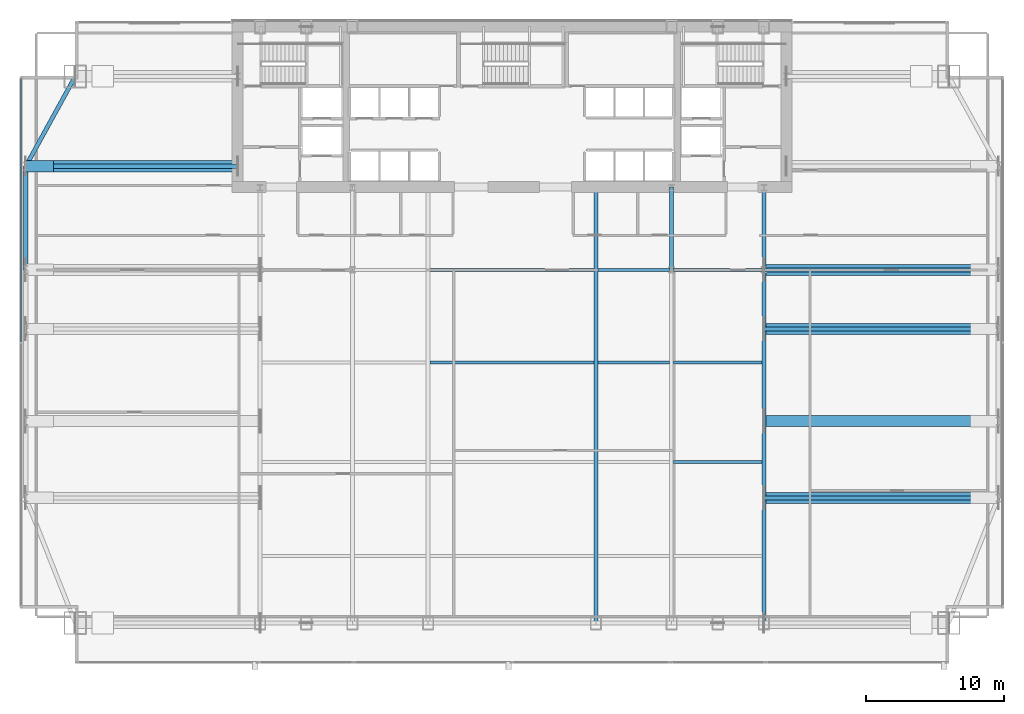
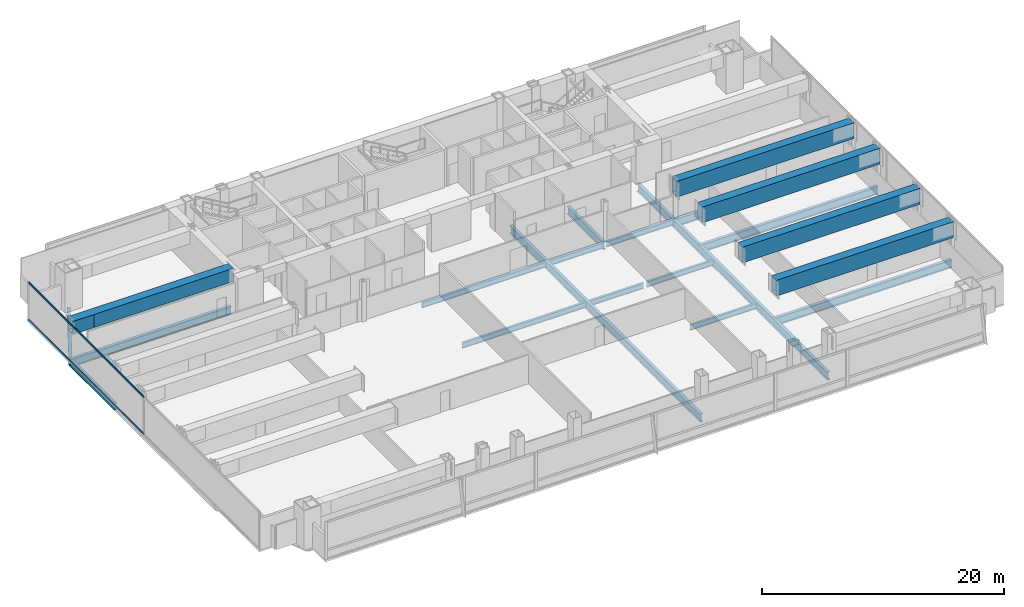
# One storey, part 14 of 32: 23 beams, 2 members, 1 element without a shape of its own.
"""IFC4 building model written with IfcOpenShell, lengths in metres."""

from ifc_helpers import new_model, si_unit, direction, frame, origin, origin_2d, place, context, subcontext, project, spatial, hollow_rectangle, i_section, extrude, material, material_profile, profile_set, type_object, element, aggregate, save


model = new_model("IFC4")

# Units and contexts
model_context = context("Model", 3, precision=1e-05, world=origin(), true_north=direction((0.0, 1.0)))
body_context = subcontext(model_context, "Body", "Model", "MODEL_VIEW")
ifc_project = project(units=[si_unit("LENGTHUNIT", "METRE"), si_unit("AREAUNIT", "SQUARE_METRE"), si_unit("VOLUMEUNIT", "CUBIC_METRE"), si_unit("PLANEANGLEUNIT", "RADIAN"), si_unit("MASSUNIT", "GRAM", prefix="KILO")], contexts=[model_context])

# Site, building, storey
site_placement = place(None, origin())
site = spatial("IfcSite", under=ifc_project, at=site_placement, CompositionType="ELEMENT")
building_placement = place(site_placement, origin())
building = spatial("IfcBuilding", under=site, at=building_placement, Name="Khoronbel Lancet Exchange", CompositionType="ELEMENT")
storey_placement = place(building_placement, frame((0.0, 0.0, 77.800048828125)))
storey = spatial("IfcBuildingStorey", under=building, at=storey_placement, Name="L18", CompositionType="ELEMENT", Elevation=77.800048828125)

# Beams
ifc_material_1 = material(Name="Steel S355", Category="steel")
ifc_material_profile_1 = material_profile(ifc_material_1, i_section(OverallWidth=0.300048828125, OverallDepth=0.800048828125, WebThickness=0.017578125, FlangeThickness=0.032958984375, at=origin_2d()), Name="HEB 800")
ifc_profile_set_1 = profile_set([ifc_material_profile_1], Name="Steel S355")
beam_type_1 = type_object("IfcBeamType", Name="BM-BG2", PredefinedType="BEAM", material=ifc_profile_set_1)
beam_1_placement = place(storey_placement, frame((42.52490234375, 10.14990234375, -0.580078125), z_axis=(0.0, 1.0, 0.0), x_axis=(-1.0, 0.0, 0.0)))
element("IfcBeam", 1, at=beam_1_placement, inside=storey, type_object=beam_type_1, Name="Level L18 primary floor girder G4", PredefinedType="BEAM", context=body_context, shape_type="SweptSolid", body=[
    extrude(i_section(OverallWidth=0.300048828125, OverallDepth=0.800048828125, WebThickness=0.017578125, FlangeThickness=0.032958984375, at=origin_2d()), origin(), (0.0, 0.0, 1.0), 31.550048828125),
])
beam_2_placement = place(storey_placement, frame((48.0, 35.699951171875, -0.580078125), z_axis=(0.0, 1.0, 0.0), x_axis=(-1.0, 0.0, 0.0)))
element("IfcBeam", 2, at=beam_2_placement, inside=storey, type_object=beam_type_1, Name="Level L18 spine tie girder GN5", PredefinedType="BEAM", context=body_context, shape_type="SweptSolid", body=[
    extrude(i_section(OverallWidth=0.300048828125, OverallDepth=0.800048828125, WebThickness=0.017578125, FlangeThickness=0.032958984375, at=origin_2d()), origin(), (0.0, 0.0, 1.0), 6.0),
])
beam_3_placement = place(storey_placement, frame((54.675048828125, 10.14990234375, -0.580078125), z_axis=(0.0, 1.0, 0.0), x_axis=(-1.0, 0.0, 0.0)))
element("IfcBeam", 3, at=beam_3_placement, inside=storey, type_object=beam_type_1, Name="Level L18 south primary girder GS6", PredefinedType="BEAM", context=body_context, shape_type="SweptSolid", body=[
    extrude(i_section(OverallWidth=0.300048828125, OverallDepth=0.800048828125, WebThickness=0.017578125, FlangeThickness=0.032958984375, at=origin_2d()), origin(), (0.0, 0.0, 1.0), 25.550048828125),
])
beam_4_placement = place(storey_placement, frame((54.675048828125, 35.699951171875, -0.580078125), z_axis=(0.0, 1.0, 0.0), x_axis=(-1.0, 0.0, 0.0)))
element("IfcBeam", 4, at=beam_4_placement, inside=storey, type_object=beam_type_1, Name="Level L18 spine tie girder GN6", PredefinedType="BEAM", context=body_context, shape_type="SweptSolid", body=[
    extrude(i_section(OverallWidth=0.300048828125, OverallDepth=0.800048828125, WebThickness=0.017578125, FlangeThickness=0.032958984375, at=origin_2d()), origin(), (0.0, 0.0, 1.0), 6.0),
])
for number, where, z_axis, x_axis, name in (
    (5, (54.675048828125, 19.199951171875, -0.580078125), (1.0, 0.0, 0.0), (0.0, 1.0, 0.0), "Level L18 east lens tie girder LG1E"),
    (6, (54.675048828125, 31.425048828125, -0.580078125), (1.0, 0.0, 0.0), (0.0, 1.0, 0.0), "Level L18 east lens tie girder LG2E"),
    (7, (54.675048828125, 35.699951171875, -0.580078125), (1.0, 0.0, 0.0), (0.0, 1.0, 0.0), "Level L18 east lens tie girder LG4E"),
):
    element("IfcBeam", number, at=place(storey_placement, frame(where, z_axis=z_axis, x_axis=x_axis)), inside=storey, type_object=beam_type_1, Name=name, PredefinedType="BEAM", context=body_context, shape_type="SweptSolid", body=[
        extrude(i_section(OverallWidth=0.300048828125, OverallDepth=0.800048828125, WebThickness=0.017578125, FlangeThickness=0.032958984375, at=origin_2d()), origin(), (0.0, 0.0, 1.0), 16.954833984375),
    ])
beam_5_placement = place(storey_placement, frame((1.27001953125, 43.199951171875, -0.580078125), z_axis=(1.0, 0.0, 0.0), x_axis=(0.0, 1.0, 0.0)))
element("IfcBeam", 8, at=beam_5_placement, inside=storey, type_object=beam_type_1, Name="Level L18 west lens tie girder LG3W", PredefinedType="BEAM", context=body_context, shape_type="SweptSolid", body=[
    extrude(i_section(OverallWidth=0.300048828125, OverallDepth=0.800048828125, WebThickness=0.017578125, FlangeThickness=0.032958984375, at=origin_2d()), origin(), (0.0, 0.0, 1.0), 15.330078125),
])
ifc_material_profile_2 = material_profile(ifc_material_1, i_section(OverallWidth=0.2099609375, OverallDepth=0.550048828125, WebThickness=0.010986328125, FlangeThickness=0.01708984375, at=origin_2d()), Name="IPE 550")
ifc_profile_set_2 = profile_set([ifc_material_profile_2], Name="Steel S355")
beam_type_2 = type_object("IfcBeamType", Name="BM-BJ2", PredefinedType="JOIST", material=ifc_profile_set_2)
beam_6_placement = place(storey_placement, frame((48.14990234375, 21.800048828125, -0.455078125), z_axis=(1.0, 0.0, 0.0), x_axis=(0.0, 1.0, 0.0)))
element("IfcBeam", 9, at=beam_6_placement, inside=storey, type_object=beam_type_2, Name="Level L18 secondary composite joist J10", PredefinedType="JOIST", context=body_context, shape_type="SweptSolid", body=[
    extrude(i_section(OverallWidth=0.2099609375, OverallDepth=0.550048828125, WebThickness=0.010986328125, FlangeThickness=0.01708984375, at=origin_2d()), origin(), (0.0, 0.0, 1.0), 6.375),
])
beam_7_placement = place(storey_placement, frame((30.52490234375, 29.0, -0.455078125), z_axis=(1.0, 0.0, 0.0), x_axis=(0.0, 1.0, 0.0)))
element("IfcBeam", 10, at=beam_7_placement, inside=storey, type_object=beam_type_2, Name="Level L18 secondary composite joist J13", PredefinedType="JOIST", context=body_context, shape_type="SweptSolid", body=[
    extrude(i_section(OverallWidth=0.2099609375, OverallDepth=0.550048828125, WebThickness=0.010986328125, FlangeThickness=0.01708984375, at=origin_2d()), origin(), (0.0, 0.0, 1.0), 11.85009765625),
])
beam_8_placement = place(storey_placement, frame((42.675048828125, 29.0, -0.455078125), z_axis=(1.0, 0.0, 0.0), x_axis=(0.0, 1.0, 0.0)))
element("IfcBeam", 11, at=beam_8_placement, inside=storey, type_object=beam_type_2, Name="Level L18 secondary composite joist J14", PredefinedType="JOIST", context=body_context, shape_type="SweptSolid", body=[
    extrude(i_section(OverallWidth=0.2099609375, OverallDepth=0.550048828125, WebThickness=0.010986328125, FlangeThickness=0.01708984375, at=origin_2d()), origin(), (0.0, 0.0, 1.0), 5.175048828125),
])
beam_9_placement = place(storey_placement, frame((48.14990234375, 29.0, -0.455078125), z_axis=(1.0, 0.0, 0.0), x_axis=(0.0, 1.0, 0.0)))
element("IfcBeam", 12, at=beam_9_placement, inside=storey, type_object=beam_type_2, Name="Level L18 secondary composite joist J15", PredefinedType="JOIST", context=body_context, shape_type="SweptSolid", body=[
    extrude(i_section(OverallWidth=0.2099609375, OverallDepth=0.550048828125, WebThickness=0.010986328125, FlangeThickness=0.01708984375, at=origin_2d()), origin(), (0.0, 0.0, 1.0), 6.375),
])
beam_10_placement = place(storey_placement, frame((30.52490234375, 35.699951171875, -0.455078125), z_axis=(1.0, 0.0, 0.0), x_axis=(0.0, 1.0, 0.0)))
element("IfcBeam", 13, at=beam_10_placement, inside=storey, type_object=beam_type_2, Name="Level L18 secondary composite joist J18", PredefinedType="JOIST", context=body_context, shape_type="SweptSolid", body=[
    extrude(i_section(OverallWidth=0.2099609375, OverallDepth=0.550048828125, WebThickness=0.010986328125, FlangeThickness=0.01708984375, at=origin_2d()), origin(), (0.0, 0.0, 1.0), 11.85009765625),
])
beam_11_placement = place(storey_placement, frame((42.675048828125, 35.699951171875, -0.455078125), z_axis=(1.0, 0.0, 0.0), x_axis=(0.0, 1.0, 0.0)))
element("IfcBeam", 14, at=beam_11_placement, inside=storey, type_object=beam_type_2, Name="Level L18 secondary composite joist J19", PredefinedType="JOIST", context=body_context, shape_type="SweptSolid", body=[
    extrude(i_section(OverallWidth=0.2099609375, OverallDepth=0.550048828125, WebThickness=0.010986328125, FlangeThickness=0.01708984375, at=origin_2d()), origin(), (0.0, 0.0, 1.0), 5.175048828125),
])
beam_12_placement = place(storey_placement, frame((48.14990234375, 35.699951171875, -0.455078125), z_axis=(1.0, 0.0, 0.0), x_axis=(0.0, 1.0, 0.0)))
element("IfcBeam", 15, at=beam_12_placement, inside=storey, type_object=beam_type_2, Name="Level L18 secondary composite joist J20", PredefinedType="JOIST", context=body_context, shape_type="SweptSolid", body=[
    extrude(i_section(OverallWidth=0.2099609375, OverallDepth=0.550048828125, WebThickness=0.010986328125, FlangeThickness=0.01708984375, at=origin_2d()), origin(), (0.0, 0.0, 1.0), 6.375),
])
ifc_material_profile_3 = material_profile(ifc_material_1, i_section(OverallWidth=0.300048828125, OverallDepth=0.64990234375, WebThickness=0.01611328125, FlangeThickness=0.031005859375, at=origin_2d()), Name="HEB 650")
ifc_profile_set_3 = profile_set([ifc_material_profile_3], Name="Steel S355")
beam_type_3 = type_object("IfcBeamType", Name="BM-BSP1", PredefinedType="SPANDREL", material=ifc_profile_set_3)
beam_13_placement = place(storey_placement, frame((4.85009765625, 49.699951171875, -0.505126953125), z_axis=(-0.482444051088, -0.875926787791, 0.0), x_axis=(0.875926787791, -0.482444051088, 0.0)))
element("IfcBeam", 16, at=beam_13_placement, inside=storey, type_object=beam_type_3, Name="Level L18 perimeter spandrel beam SP16", PredefinedType="SPANDREL", context=body_context, shape_type="SweptSolid", body=[
    extrude(i_section(OverallWidth=0.300048828125, OverallDepth=0.64990234375, WebThickness=0.01611328125, FlangeThickness=0.031005859375, at=origin_2d()), origin(), (0.0, 0.0, 1.0), 7.420654296875),
])
beam_14_placement = place(storey_placement, frame((1.27001953125, 43.199951171875, -0.505126953125), z_axis=(0.0, -1.0, 0.0), x_axis=(1.0, 0.0, 0.0)))
element("IfcBeam", 17, at=beam_14_placement, inside=storey, type_object=beam_type_3, Name="Level L18 perimeter spandrel beam SP17", PredefinedType="SPANDREL", context=body_context, shape_type="SweptSolid", body=[
    extrude(i_section(OverallWidth=0.300048828125, OverallDepth=0.64990234375, WebThickness=0.01611328125, FlangeThickness=0.031005859375, at=origin_2d()), origin(), (0.0, 0.0, 1.0), 7.5),
])
ifc_material_2 = material(Name="Steel S460", Category="steel")
ifc_material_profile_4 = material_profile(ifc_material_2, hollow_rectangle(XDim=0.800048828125, YDim=1.60009765625, WallThickness=0.06494140625, at=origin_2d()), Name="BOX 800x1600x65")
ifc_profile_set_4 = profile_set([ifc_material_profile_4], Name="Steel S460")
beam_type_4 = type_object("IfcBeamType", Name="BM-TG2", PredefinedType="USERDEFINED", material=ifc_profile_set_4)
for number, where, z_axis, x_axis, name in (
    (18, (54.675048828125, 19.199951171875, 3.02001953125), (1.0, 0.0, 0.0), (0.0, 1.0, 0.0), "Lens setback S460 transfer girder L18-E1"),
    (19, (54.675048828125, 24.75, 3.02001953125), (1.0, 0.0, 0.0), (0.0, 1.0, 0.0), "Lens setback S460 transfer girder L18-E2"),
    (20, (54.675048828125, 31.425048828125, 3.02001953125), (1.0, 0.0, 0.0), (0.0, 1.0, 0.0), "Lens setback S460 transfer girder L18-E3"),
    (21, (54.675048828125, 35.699951171875, 3.02001953125), (1.0, 0.0, 0.0), (0.0, 1.0, 0.0), "Lens setback S460 transfer girder L18-E4"),
):
    element("IfcBeam", number, at=place(storey_placement, frame(where, z_axis=z_axis, x_axis=x_axis)), inside=storey, type_object=beam_type_4, Name=name, ObjectType="TRANSFER GIRDER", PredefinedType="USERDEFINED", context=body_context, shape_type="SweptSolid", body=[
        extrude(hollow_rectangle(XDim=0.800048828125, YDim=1.60009765625, WallThickness=0.06494140625, at=origin_2d()), origin(), (0.0, 0.0, 1.0), 16.954833984375),
    ])
ifc_material_profile_5 = material_profile(ifc_material_2, hollow_rectangle(XDim=0.820068359375, YDim=1.320068359375, WallThickness=0.070068359375, at=origin_2d()), Name="BOX 820x1320x70")
ifc_profile_set_5 = profile_set([ifc_material_profile_5], Name="Steel S460")
beam_type_5 = type_object("IfcBeamType", Name="BM-TG4", PredefinedType="USERDEFINED", material=ifc_profile_set_5)
beam_15_placement = place(storey_placement, frame((1.27001953125, 43.199951171875, 3.139892578125), z_axis=(0.99994990606, 0.0, 0.010009264196), x_axis=(0.0, 1.0, 0.0)))
element("IfcBeam", 22, at=beam_15_placement, inside=storey, type_object=beam_type_5, Name="Setback transfer knee-brace girder L18-WC-4", ObjectType="TRANSFER GIRDER", PredefinedType="USERDEFINED", context=body_context, shape_type="SweptSolid", body=[
    extrude(hollow_rectangle(XDim=0.820068359375, YDim=1.320068359375, WallThickness=0.070068359375, at=origin_2d()), origin(), (0.0, 0.0, 1.0), 2.0),
])
beam_16_placement = place(storey_placement, frame((1.27001953125, 43.199951171875, 3.159912109375), z_axis=(1.0, 0.0, 0.0), x_axis=(0.0, 1.0, 0.0)))
element("IfcBeam", 23, at=beam_16_placement, inside=storey, type_object=beam_type_5, Name="Lens setback S460 transfer girder L18-W5", ObjectType="TRANSFER GIRDER", PredefinedType="USERDEFINED", context=body_context, shape_type="SweptSolid", body=[
    extrude(hollow_rectangle(XDim=0.820068359375, YDim=1.320068359375, WallThickness=0.070068359375, at=origin_2d()), origin(), (0.0, 0.0, 1.0), 15.330078125),
])

# Curtain wall, members
ifc_material_3 = material(Name="Low-E Solar Control Insulating Glass", Category="glass")
curtain_wall_type = type_object("IfcCurtainWallType", Name="CW-4", PredefinedType="NOTDEFINED", material=ifc_material_3)
curtain_wall_placement = place(storey_placement, origin())
curtain_wall = element("IfcCurtainWall", 24, at=curtain_wall_placement, inside=storey, type_object=curtain_wall_type, Name="Unitised curtain wall CW-L18-E03", PredefinedType="NOTDEFINED")
ifc_material_4 = material(Name="Bronze-Anodised Aluminium 6063-T6", Category="aluminium")
ifc_material_profile_6 = material_profile(ifc_material_4, hollow_rectangle(XDim=0.0849609375, YDim=0.179931640625, WallThickness=0.0048828125, at=origin_2d()), Name="ALU TRANSOM 85x180")
ifc_profile_set_6 = profile_set([ifc_material_profile_6], Name="Bronze-Anodised Aluminium 6063-T6")
member_type = type_object("IfcMemberType", Name="MEM-CWT1", PredefinedType="USERDEFINED", material=ifc_profile_set_6)
member_1_placement = place(storey_placement, frame((0.93994140625, 30.487548828125, 0.04248046875), z_axis=(0.0, 1.0, 0.0), x_axis=(-1.0, 0.0, 0.0)))
member_1 = element("IfcMember", 25, at=member_1_placement, type_object=member_type, Name="CW4 transom 2.1", ObjectType="TRANSOM", PredefinedType="USERDEFINED", context=body_context, shape_type="SweptSolid", body=[
    extrude(hollow_rectangle(XDim=0.0849609375, YDim=0.179931640625, WallThickness=0.0048828125, at=origin_2d()), origin(), (0.0, 0.0, 1.0), 19.04736328125),
])
member_2_placement = place(storey_placement, frame((0.93994140625, 30.487548828125, 3.77734375), z_axis=(0.0, 1.0, 0.0), x_axis=(-1.0, 0.0, 0.0)))
member_2 = element("IfcMember", 26, at=member_2_placement, type_object=member_type, Name="CW4 transom 2.2", ObjectType="TRANSOM", PredefinedType="USERDEFINED", context=body_context, shape_type="SweptSolid", body=[
    extrude(hollow_rectangle(XDim=0.0849609375, YDim=0.179931640625, WallThickness=0.0048828125, at=origin_2d()), origin(), (0.0, 0.0, 1.0), 19.04736328125),
])
aggregate(curtain_wall, [member_1, member_2])

save(model, "model.ifc")
